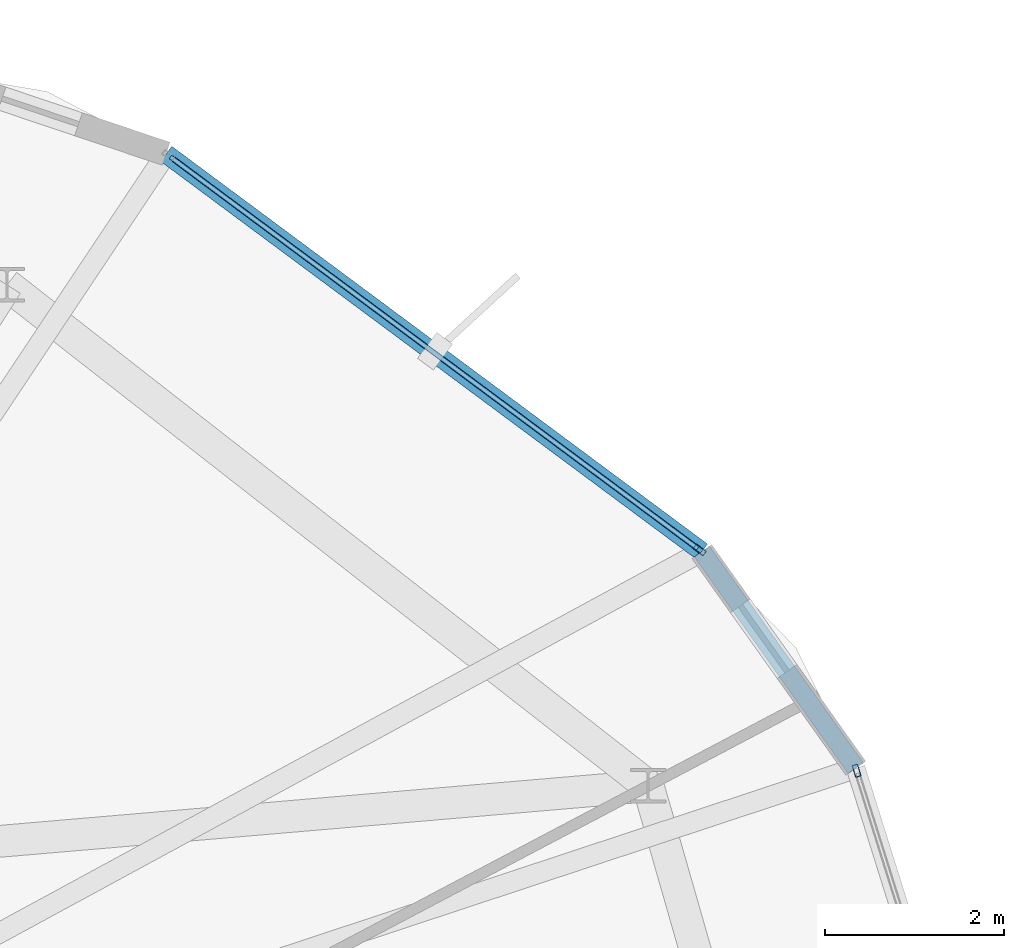
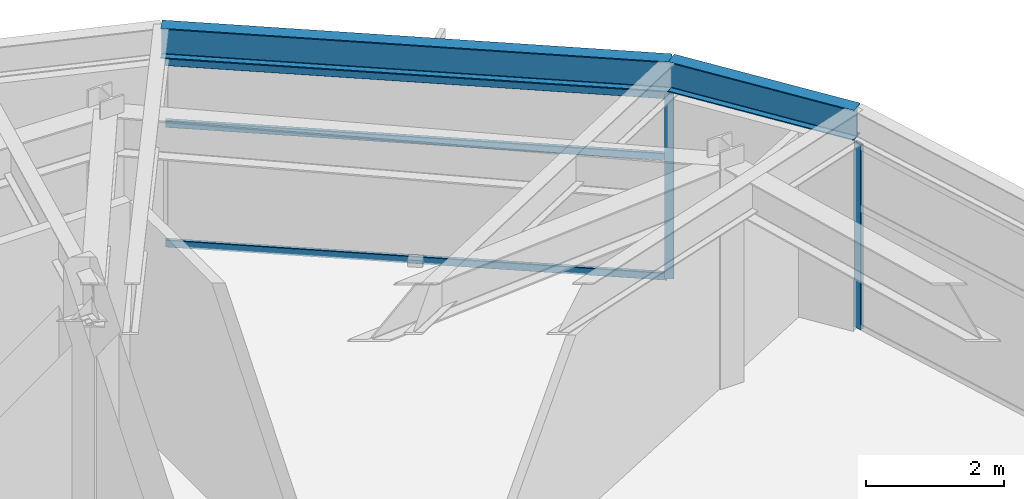
# One storey, part 10 of 19: 5 members, 2 beams, 2 elements without a shape of their own.
"""IFC4 building model written with IfcOpenShell, lengths in metres."""

from ifc_helpers import new_model, si_unit, direction, frame, origin, origin_2d, place, context, subcontext, project, spatial, hollow_rectangle, i_section, extrude, material, layer, layer_set, material_profile, profile_set, type_object, element, aggregate, save


model = new_model("IFC4")

# Units and contexts
model_context = context("Model", 3, precision=1e-05, world=origin(), true_north=direction((0.0, 1.0)))
body_context = subcontext(model_context, "Body", "Model", "MODEL_VIEW")
ifc_project = project(units=[si_unit("LENGTHUNIT", "METRE"), si_unit("AREAUNIT", "SQUARE_METRE"), si_unit("VOLUMEUNIT", "CUBIC_METRE"), si_unit("PLANEANGLEUNIT", "RADIAN"), si_unit("MASSUNIT", "GRAM", prefix="KILO")], contexts=[model_context])

# Site, building, storey
site_placement = place(None, origin())
site = spatial("IfcSite", under=ifc_project, at=site_placement, CompositionType="ELEMENT")
building_placement = place(site_placement, origin())
building = spatial("IfcBuilding", under=site, at=building_placement, Name="Soratama Intermodal Tower", CompositionType="ELEMENT")
storey_placement = place(building_placement, frame((0.0, 0.0, 297.25)))
storey = spatial("IfcBuildingStorey", under=building, at=storey_placement, Name="L75", CompositionType="ELEMENT", Elevation=297.25)

# Beams
ifc_material_1 = material(Name="Structural steel ASTM A992 Grade 50", Category="steel")
ifc_material_profile_1 = material_profile(ifc_material_1, i_section(OverallWidth=0.2099609375, OverallDepth=0.537109375, WebThickness=0.010986328125, FlangeThickness=0.017333984375, FilletRadius=0.012939453125, at=origin_2d()), Name="W21X68")
ifc_profile_set_1 = profile_set([ifc_material_profile_1], Name="Structural steel ASTM A992 Grade 50")
beam_type = type_object("IfcBeamType", Name="BM-SPN-W21X68", PredefinedType="SPANDREL", material=ifc_profile_set_1)
beam_1_placement = place(storey_placement, frame((56.5048828125, 33.4169921875, 3.62646484375), z_axis=(-0.578994134826, 0.815331706631, 0.0), x_axis=(-0.815331706631, -0.578994134826, 0.0)))
element("IfcBeam", 1, at=beam_1_placement, inside=storey, type_object=beam_type, Name="BS-L75-CRN09", PredefinedType="SPANDREL", context=body_context, shape_type="SweptSolid", body=[
    extrude(i_section(OverallWidth=0.2099609375, OverallDepth=0.537109375, WebThickness=0.010986328125, FlangeThickness=0.017333984375, FilletRadius=0.012939453125, at=origin_2d()), origin(), (0.0, 0.0, 1.0), 2.966796875),
])
beam_2_placement = place(storey_placement, frame((54.787109375, 35.8359375, 3.62646484375), z_axis=(-0.802873364205, 0.596149612974, 0.0), x_axis=(-0.596149612974, -0.802873364205, 0.0)))
element("IfcBeam", 2, at=beam_2_placement, inside=storey, type_object=beam_type, Name="BS-L75-F10", PredefinedType="SPANDREL", context=body_context, shape_type="SweptSolid", body=[
    extrude(i_section(OverallWidth=0.2099609375, OverallDepth=0.537109375, WebThickness=0.010986328125, FlangeThickness=0.017333984375, FilletRadius=0.012939453125, at=origin_2d()), origin(), (0.0, 0.0, 1.0), 7.44970703125),
])

# Curtain wall, member
ifc_material_2 = material(Name="Double-glazed aluminium curtain wall", Category="aluminium")
ifc_layer = layer(ifc_material_2, 0.159912109375)
ifc_layer_set = layer_set([ifc_layer], Name="Double-glazed aluminium curtain wall")
curtain_wall_type = type_object("IfcCurtainWallType", Name="CW-SYS-6", PredefinedType="NOTDEFINED", material=ifc_layer_set)
curtain_wall_1_placement = place(storey_placement, origin())
curtain_wall_1 = element("IfcCurtainWall", 3, at=curtain_wall_1_placement, inside=storey, type_object=curtain_wall_type, Name="L75 Faceted Curtain Wall F09", PredefinedType="NOTDEFINED")
ifc_material_3 = material(Name="Anodised aluminium AA 6063-T6", Category="aluminium")
ifc_material_profile_2 = material_profile(ifc_material_3, hollow_rectangle(XDim=0.06494140625, YDim=0.139892578125, WallThickness=0.0048828125, InnerFilletRadius=0.0048828125, OuterFilletRadius=0.010009765625, at=origin_2d()), Name="CWM140X65X5")
ifc_profile_set_2 = profile_set([ifc_material_profile_2], Name="Anodised aluminium AA 6063-T6")
member_type_1 = type_object("IfcMemberType", Name="MT-CWM-6", PredefinedType="MULLION", material=ifc_profile_set_2)
member_1_placement = place(storey_placement, frame((56.51416015625, 33.388916015625, 0.0), z_axis=(0.0, 0.0, 1.0), x_axis=(-0.954240565679, -0.299040035469, 0.0)))
member_1 = element("IfcMember", 4, at=member_1_placement, type_object=member_type_1, Name="CW-6 mullion 2", PredefinedType="MULLION", context=body_context, shape_type="SweptSolid", body=[
    extrude(hollow_rectangle(XDim=0.06494140625, YDim=0.139892578125, WallThickness=0.0048828125, InnerFilletRadius=0.0048828125, OuterFilletRadius=0.010009765625, at=origin_2d()), origin(), (0.0, 0.0, 1.0), 3.27392578125),
])
aggregate(curtain_wall_1, [member_1])

# Curtain wall, members
curtain_wall_2_placement = place(storey_placement, origin())
curtain_wall_2 = element("IfcCurtainWall", 5, at=curtain_wall_2_placement, inside=storey, type_object=curtain_wall_type, Name="L75 Faceted Curtain Wall F10", PredefinedType="NOTDEFINED")
member_2_placement = place(storey_placement, frame((54.762451171875, 35.853515625, 0.0), z_axis=(0.0, 0.0, 1.0), x_axis=(-0.596228098938, -0.802815080848, 0.0)))
member_2 = element("IfcMember", 6, at=member_2_placement, type_object=member_type_1, Name="CW-6 mullion 1", PredefinedType="MULLION", context=body_context, shape_type="SweptSolid", body=[
    extrude(hollow_rectangle(XDim=0.06494140625, YDim=0.139892578125, WallThickness=0.0048828125, InnerFilletRadius=0.0048828125, OuterFilletRadius=0.010009765625, at=origin_2d()), origin(), (0.0, 0.0, 1.0), 3.27392578125),
])
ifc_material_4 = material(Name="Anodised aluminium AA 6063-T6", Category="aluminium")
ifc_material_profile_3 = material_profile(ifc_material_4, hollow_rectangle(XDim=0.06005859375, YDim=0.1298828125, WallThickness=0.0048828125, InnerFilletRadius=0.0048828125, OuterFilletRadius=0.010009765625, at=origin_2d()), Name="CWT130X60X5")
ifc_profile_set_3 = profile_set([ifc_material_profile_3], Name="Anodised aluminium AA 6063-T6")
member_type_2 = type_object("IfcMemberType", Name="TT-CWT-2", PredefinedType="USERDEFINED", material=ifc_profile_set_3)
member_3_placement = place(storey_placement, frame((54.738525390625, 35.871337890625, 0.030029296875), z_axis=(-0.802817191644, 0.596225256762, 0.0), x_axis=(-0.596225256762, -0.802817191644, 0.0)))
member_3 = element("IfcMember", 7, at=member_3_placement, type_object=member_type_2, Name="CW-6 transom 1.1", ObjectType="TRANSOM", PredefinedType="USERDEFINED", context=body_context, shape_type="SweptSolid", body=[
    extrude(hollow_rectangle(XDim=0.06005859375, YDim=0.1298828125, WallThickness=0.0048828125, InnerFilletRadius=0.0048828125, OuterFilletRadius=0.010009765625, at=origin_2d()), origin(), (0.0, 0.0, 1.0), 7.329345703125),
])
member_4_placement = place(storey_placement, frame((54.738525390625, 35.871337890625, 2.14990234375), z_axis=(-0.802817191644, 0.596225256762, 0.0), x_axis=(-0.596225256762, -0.802817191644, 0.0)))
member_4 = element("IfcMember", 8, at=member_4_placement, type_object=member_type_2, Name="CW-6 transom 1.2", ObjectType="TRANSOM", PredefinedType="USERDEFINED", context=body_context, shape_type="SweptSolid", body=[
    extrude(hollow_rectangle(XDim=0.06005859375, YDim=0.1298828125, WallThickness=0.0048828125, InnerFilletRadius=0.0048828125, OuterFilletRadius=0.010009765625, at=origin_2d()), origin(), (0.0, 0.0, 1.0), 7.329345703125),
])
member_5_placement = place(storey_placement, frame((54.738525390625, 35.871337890625, 3.243896484375), z_axis=(-0.802817191644, 0.596225256762, 0.0), x_axis=(-0.596225256762, -0.802817191644, 0.0)))
member_5 = element("IfcMember", 9, at=member_5_placement, type_object=member_type_2, Name="CW-6 transom 1.3", ObjectType="TRANSOM", PredefinedType="USERDEFINED", context=body_context, shape_type="SweptSolid", body=[
    extrude(hollow_rectangle(XDim=0.06005859375, YDim=0.1298828125, WallThickness=0.0048828125, InnerFilletRadius=0.0048828125, OuterFilletRadius=0.010009765625, at=origin_2d()), origin(), (0.0, 0.0, 1.0), 7.329345703125),
])
aggregate(curtain_wall_2, [member_2, member_3, member_4, member_5])

save(model, "model.ifc")
